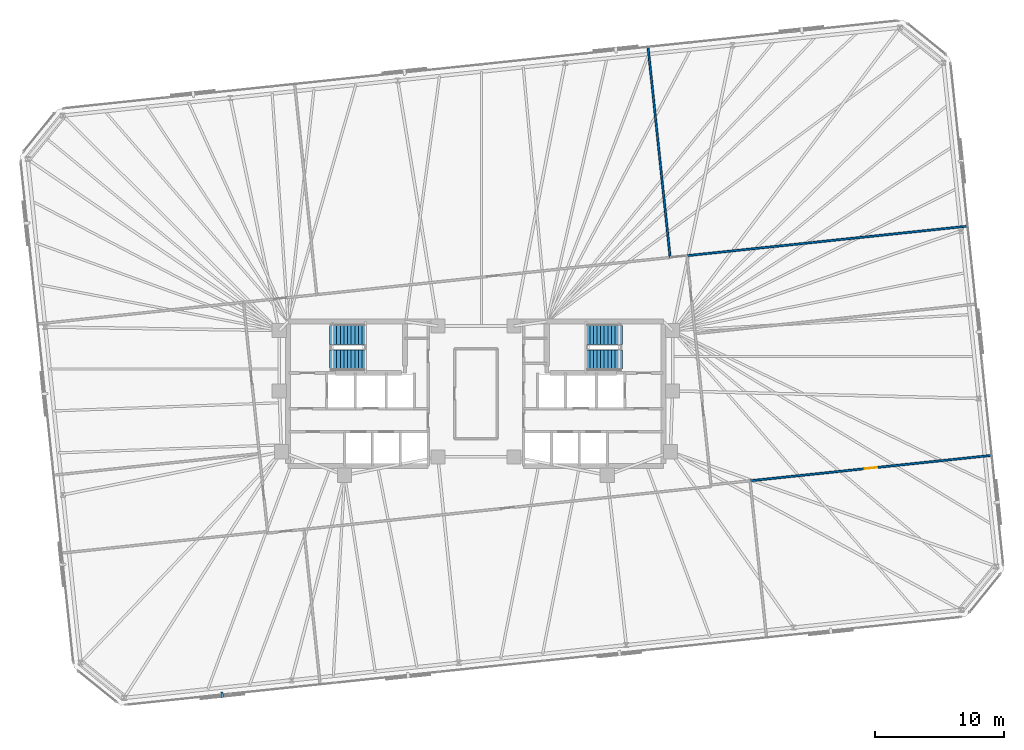
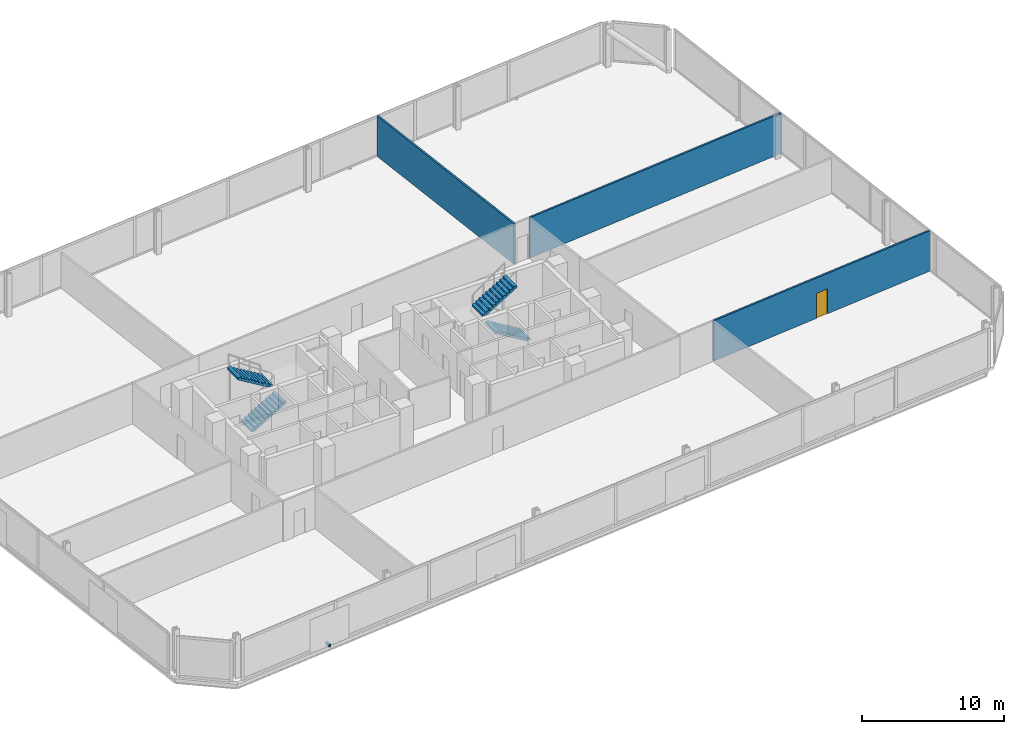
# One storey, part 16 of 18: 4 stair flights, 3 walls, 1 discrete accessory, 1 door, 1 opening, 2 elements without a shape of their own.
"""IFC4 building model written with IfcOpenShell, lengths in metres."""

from ifc_helpers import new_model, si_unit, direction, frame, frame_2d, origin, origin_2d, place, context, subcontext, project, spatial, polyline, rectangle, outline, extrude, material, layer, layer_set, type_object, element, fill, aggregate, save


model = new_model("IFC4")

# Units and contexts
model_context = context("Model", 3, precision=1e-05, world=origin(), true_north=direction((0.0, 1.0)))
body_context = subcontext(model_context, "Body", "Model", "MODEL_VIEW")
ifc_project = project(units=[si_unit("LENGTHUNIT", "METRE"), si_unit("AREAUNIT", "SQUARE_METRE"), si_unit("VOLUMEUNIT", "CUBIC_METRE"), si_unit("PLANEANGLEUNIT", "RADIAN"), si_unit("MASSUNIT", "GRAM", prefix="KILO")], contexts=[model_context])

# Site, building, storey
site_placement = place(None, origin())
site = spatial("IfcSite", under=ifc_project, at=site_placement, CompositionType="ELEMENT")
building_placement = place(site_placement, origin())
building = spatial("IfcBuilding", under=site, at=building_placement, Name="Menara Jurai Vektor", CompositionType="ELEMENT")
storey_placement = place(building_placement, frame((0.0, 0.0, 91.10009765625)))
storey = spatial("IfcBuildingStorey", under=building, at=storey_placement, Name="L22", CompositionType="ELEMENT", Elevation=91.10009765625)

# Walls
ifc_material_1 = material(Name="Gypsum Fireboard Partition", Category="gypsum")
ifc_layer = layer(ifc_material_1, 0.14990234375)
ifc_layer_set = layer_set([ifc_layer], Name="Gypsum Fireboard Partition")
wall_type = type_object("IfcWallType", Name="INT-WALL-CORR-150", PredefinedType="PARTITIONING", material=ifc_layer_set)
wall_1_placement = place(storey_placement, frame((15.0634765625, 10.567626953125, 0.0), z_axis=(0.0, 0.0, 1.0), x_axis=(-0.104536080245, 0.994521094762, 0.0)))
element("IfcWall", 1, at=wall_1_placement, inside=storey, type_object=wall_type, Name="Interior Wall IW-150 L22", PredefinedType="PARTITIONING", context=body_context, shape_type="SweptSolid", body=[
    extrude(rectangle(XDim=16.408935546875, YDim=0.14990234375, at=frame_2d((8.20458984375, 0.0))), origin(), (0.0, 0.0, 1.0), 3.474853515625),
])
wall_2_placement = place(storey_placement, frame((16.36328125, 10.7041015625, 0.0), z_axis=(0.0, 0.0, 1.0), x_axis=(0.994521206634, 0.104535015934, 0.0)))
element("IfcWall", 2, at=wall_2_placement, inside=storey, type_object=wall_type, Name="Interior Wall IW-150 L22", PredefinedType="PARTITIONING", context=body_context, shape_type="SweptSolid", body=[
    extrude(rectangle(XDim=21.892822265625, YDim=0.14990234375, at=frame_2d((10.9462890625, 0.0))), origin(), (0.0, 0.0, 1.0), 3.474853515625),
])

# Wall, opening, door
wall_3_placement = place(storey_placement, frame((21.257568359375, -6.749755859375, 0.0), z_axis=(0.0, 0.0, 1.0), x_axis=(0.994521409189, 0.104533088851, 0.0)))
wall_3 = element("IfcWall", 3, at=wall_3_placement, inside=storey, type_object=wall_type, Name="Interior Wall IW-150 L22", PredefinedType="PARTITIONING", context=body_context, shape_type="SweptSolid", body=[
    extrude(rectangle(XDim=18.85009765625, YDim=0.14990234375, at=frame_2d((9.425048828125, 0.0))), origin(), (0.0, 0.0, 1.0), 3.474853515625),
])
opening_placement = place(wall_3_placement, frame((8.949951171875, 0.0, 0.0)))
opening = element("IfcOpeningElement", 4, at=opening_placement, cuts=wall_3, Name="Opening D22-16", PredefinedType="OPENING", context=body_context, shape_type="SweptSolid", body=[
    extrude(rectangle(XDim=0.949951171875, YDim=2.14990234375, at=frame_2d((0.47509765625, 1.074951171875))), frame((0.0, 0.0849609375, 0.0), z_axis=(0.0, -1.0, 0.0), x_axis=(1.0, 0.0, 0.0)), (0.0, 0.0, 1.0), 0.169921875),
])
ifc_material_2 = material(Name="Solid Core Timber Fire Door", Category="wood")
door_type = type_object("IfcDoorType", Name="DR-ENTRY-950", OperationType="NOTDEFINED", PredefinedType="DOOR", material=ifc_material_2)
door_placement = place(opening_placement, origin())
door = element("IfcDoor", 5, at=door_placement, inside=storey, type_object=door_type, Name="Interior Door D22-16", OperationType="SINGLE_SWING_LEFT", OverallHeight=2.14990234375, OverallWidth=0.949951171875, PredefinedType="DOOR", context=body_context, shape_type="SweptSolid", body=[
    extrude(rectangle(XDim=0.949951171875, YDim=2.14990234375, at=frame_2d((0.47509765625, 1.074951171875))), frame((0.0, 0.02490234375, 0.0), z_axis=(0.0, -1.0, 0.0), x_axis=(1.0, 0.0, 0.0)), (0.0, 0.0, 1.0), 0.050048828125),
])
fill(opening, door)

# Stair, stair flights
ifc_material_3 = material(Name="Concrete C40/50", Category="concrete")
stair_type = type_object("IfcStairType", Name="STAIR-DOGLEG-1500", PredefinedType="HALF_TURN_STAIR", material=ifc_material_3)
stair_1_placement = place(storey_placement, origin())
stair_1 = element("IfcStair", 6, at=stair_1_placement, inside=storey, type_object=stair_type, Name="Protected Exit Stair ST1 L22", PredefinedType="HALF_TURN_STAIR")
stair_flight_type = type_object("IfcStairFlightType", Name="STAIR-FLIGHT-1500", PredefinedType="STRAIGHT", material=ifc_material_3)
stair_flight_1_placement = place(storey_placement, frame((-11.35009765625, 2.64990234375, 0.0), z_axis=(0.0, 0.0, 1.0), x_axis=(1.0, 0.0, 0.0)))
stair_flight_1 = element("IfcStairFlight", 7, at=stair_flight_1_placement, type_object=stair_flight_type, Name="ST1 flight 1", NumberOfRisers=11, NumberOfTreads=10, PredefinedType="STRAIGHT", RiserHeight=0.168182, TreadLength=0.28, context=body_context, shape_type="SweptSolid", body=[
    extrude(outline(polyline([(0.0, 0.0), (0.0, 0.168212890625), (0.280029296875, 0.168212890625), (0.280029296875, 0.33642578125), (0.56005859375, 0.33642578125), (0.56005859375, 0.504638671875), (0.840087890625, 0.504638671875), (0.840087890625, 0.672607421875), (1.1201171875, 0.672607421875), (1.1201171875, 0.8408203125), (1.39990234375, 0.8408203125), (1.39990234375, 1.009033203125), (1.679931640625, 1.009033203125), (1.679931640625, 1.17724609375), (1.9599609375, 1.17724609375), (1.9599609375, 1.345458984375), (2.239990234375, 1.345458984375), (2.239990234375, 1.513671875), (2.52001953125, 1.513671875), (2.52001953125, 1.681884765625), (2.800048828125, 1.681884765625), (2.800048828125, 1.85009765625), (2.800048828125, 1.495361328125), (0.310546875, 0.0), (0.0, 0.0)])), frame((0.0, 0.75, 0.0), z_axis=(0.0, -1.0, 0.0), x_axis=(1.0, 0.0, 0.0)), (0.0, 0.0, 1.0), 1.5),
])
stair_flight_2_placement = place(storey_placement, frame((-8.550048828125, 4.550048828125, 1.849853515625), z_axis=(0.0, 0.0, 1.0), x_axis=(-1.0, 0.0, 0.0)))
stair_flight_2 = element("IfcStairFlight", 8, at=stair_flight_2_placement, type_object=stair_flight_type, Name="ST1 flight 2", NumberOfRisers=11, NumberOfTreads=10, PredefinedType="STRAIGHT", RiserHeight=0.168182, TreadLength=0.28, context=body_context, shape_type="SweptSolid", body=[
    extrude(outline(polyline([(0.0, 0.0), (0.0, 0.168212890625), (0.280029296875, 0.168212890625), (0.280029296875, 0.33642578125), (0.56005859375, 0.33642578125), (0.56005859375, 0.504638671875), (0.840087890625, 0.504638671875), (0.840087890625, 0.672607421875), (1.1201171875, 0.672607421875), (1.1201171875, 0.8408203125), (1.39990234375, 0.8408203125), (1.39990234375, 1.009033203125), (1.679931640625, 1.009033203125), (1.679931640625, 1.17724609375), (1.9599609375, 1.17724609375), (1.9599609375, 1.345458984375), (2.239990234375, 1.345458984375), (2.239990234375, 1.513671875), (2.52001953125, 1.513671875), (2.52001953125, 1.681884765625), (2.800048828125, 1.681884765625), (2.800048828125, 1.85009765625), (2.800048828125, 1.495361328125), (0.310546875, 0.0), (0.0, 0.0)])), frame((0.0, 0.75, 0.0), z_axis=(0.0, -1.0, 0.0), x_axis=(1.0, 0.0, 0.0)), (0.0, 0.0, 1.0), 1.5),
])
aggregate(stair_1, [stair_flight_1, stair_flight_2])

stair_2_placement = place(storey_placement, origin())
stair_2 = element("IfcStair", 9, at=stair_2_placement, inside=storey, type_object=stair_type, Name="Protected Exit Stair ST2 L22", PredefinedType="HALF_TURN_STAIR")
stair_flight_3_placement = place(storey_placement, frame((11.35009765625, 2.64990234375, 0.0), z_axis=(0.0, 0.0, 1.0), x_axis=(-1.0, 0.0, 0.0)))
stair_flight_3 = element("IfcStairFlight", 10, at=stair_flight_3_placement, type_object=stair_flight_type, Name="ST2 flight 1", NumberOfRisers=11, NumberOfTreads=10, PredefinedType="STRAIGHT", RiserHeight=0.168182, TreadLength=0.28, context=body_context, shape_type="SweptSolid", body=[
    extrude(outline(polyline([(0.0, 0.0), (0.0, 0.168212890625), (0.280029296875, 0.168212890625), (0.280029296875, 0.33642578125), (0.56005859375, 0.33642578125), (0.56005859375, 0.504638671875), (0.840087890625, 0.504638671875), (0.840087890625, 0.672607421875), (1.1201171875, 0.672607421875), (1.1201171875, 0.8408203125), (1.39990234375, 0.8408203125), (1.39990234375, 1.009033203125), (1.679931640625, 1.009033203125), (1.679931640625, 1.17724609375), (1.9599609375, 1.17724609375), (1.9599609375, 1.345458984375), (2.239990234375, 1.345458984375), (2.239990234375, 1.513671875), (2.52001953125, 1.513671875), (2.52001953125, 1.681884765625), (2.800048828125, 1.681884765625), (2.800048828125, 1.85009765625), (2.800048828125, 1.495361328125), (0.310546875, 0.0), (0.0, 0.0)])), frame((0.0, 0.75, 0.0), z_axis=(0.0, -1.0, 0.0), x_axis=(1.0, 0.0, 0.0)), (0.0, 0.0, 1.0), 1.5),
])
stair_flight_4_placement = place(storey_placement, frame((8.550048828125, 4.550048828125, 1.849853515625), z_axis=(0.0, 0.0, 1.0), x_axis=(1.0, 0.0, 0.0)))
stair_flight_4 = element("IfcStairFlight", 11, at=stair_flight_4_placement, type_object=stair_flight_type, Name="ST2 flight 2", NumberOfRisers=11, NumberOfTreads=10, PredefinedType="STRAIGHT", RiserHeight=0.168182, TreadLength=0.28, context=body_context, shape_type="SweptSolid", body=[
    extrude(outline(polyline([(0.0, 0.0), (0.0, 0.168212890625), (0.280029296875, 0.168212890625), (0.280029296875, 0.33642578125), (0.56005859375, 0.33642578125), (0.56005859375, 0.504638671875), (0.840087890625, 0.504638671875), (0.840087890625, 0.672607421875), (1.1201171875, 0.672607421875), (1.1201171875, 0.8408203125), (1.39990234375, 0.8408203125), (1.39990234375, 1.009033203125), (1.679931640625, 1.009033203125), (1.679931640625, 1.17724609375), (1.9599609375, 1.17724609375), (1.9599609375, 1.345458984375), (2.239990234375, 1.345458984375), (2.239990234375, 1.513671875), (2.52001953125, 1.513671875), (2.52001953125, 1.681884765625), (2.800048828125, 1.681884765625), (2.800048828125, 1.85009765625), (2.800048828125, 1.495361328125), (0.310546875, 0.0), (0.0, 0.0)])), frame((0.0, 0.75, 0.0), z_axis=(0.0, -1.0, 0.0), x_axis=(1.0, 0.0, 0.0)), (0.0, 0.0, 1.0), 1.5),
])
aggregate(stair_2, [stair_flight_3, stair_flight_4])

# Discrete accessory
ifc_material_4 = material(Name="Steel S355", Category="steel")
discrete_accessory_type = type_object("IfcDiscreteAccessoryType", Name="ENV-ACC-BRACKET", PredefinedType="BRACKET", material=ifc_material_4)
discrete_accessory_placement = place(storey_placement, frame((-19.673583984375, -23.35009765625, -0.1298828125), z_axis=(0.0, 0.0, 1.0), x_axis=(0.994521895368, 0.104528463268, 0.0)))
element("IfcDiscreteAccessory", 12, at=discrete_accessory_placement, inside=storey, type_object=discrete_accessory_type, Name="Solar Screen Stand-Off Bracket L22-S01", PredefinedType="BRACKET", context=body_context, shape_type="SweptSolid", body=[
    extrude(rectangle(XDim=0.179931640625, YDim=0.43994140625, at=origin_2d()), origin(), (0.0, 0.0, 1.0), 0.219970703125),
])

save(model, "model.ifc")
